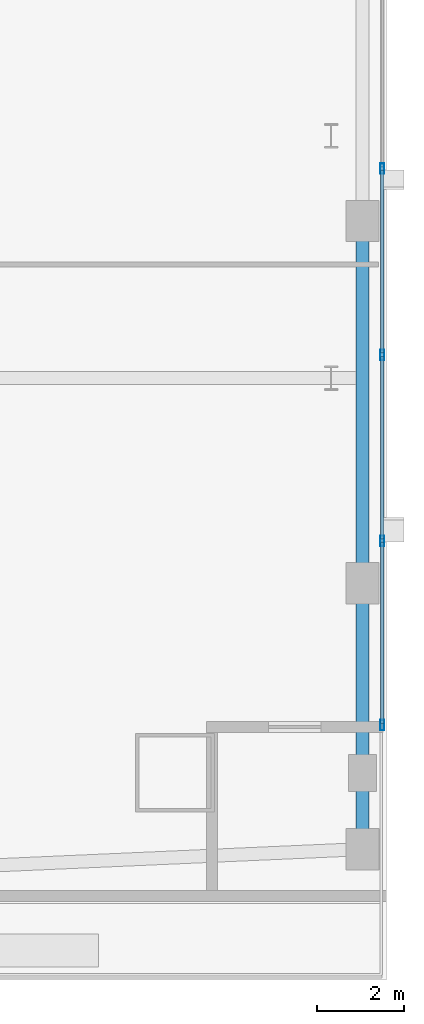
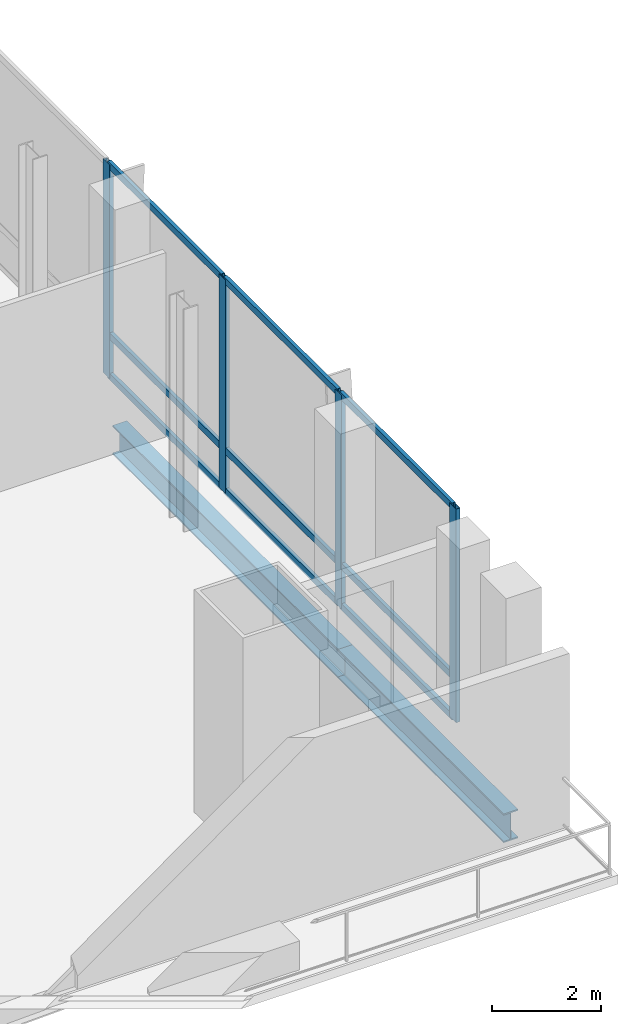
# One storey, part 14 of 25: 13 members, 2 beams, 1 element without a shape of its own.
"""IFC4 building model written with IfcOpenShell, lengths in metres."""

from ifc_helpers import new_model, si_unit, direction, frame, origin, origin_2d, place, context, subcontext, project, spatial, hollow_rectangle, i_section, extrude, material, material_profile, profile_set, type_object, element, aggregate, save


model = new_model("IFC4")

# Units and contexts
model_context = context("Model", 3, precision=1e-05, world=origin(), true_north=direction((0.0, 1.0)))
body_context = subcontext(model_context, "Body", "Model", "MODEL_VIEW")
ifc_project = project(units=[si_unit("LENGTHUNIT", "METRE"), si_unit("AREAUNIT", "SQUARE_METRE"), si_unit("VOLUMEUNIT", "CUBIC_METRE"), si_unit("PLANEANGLEUNIT", "RADIAN"), si_unit("MASSUNIT", "GRAM", prefix="KILO")], contexts=[model_context])

# Site, building, storey
site_placement = place(None, origin())
site = spatial("IfcSite", under=ifc_project, at=site_placement, CompositionType="ELEMENT")
building_placement = place(site_placement, origin())
building = spatial("IfcBuilding", under=site, at=building_placement, Name="Khoronbel Lancet Exchange", CompositionType="ELEMENT")
storey_placement = place(building_placement, frame((0.0, 0.0, 10.39990234375)))
storey = spatial("IfcBuildingStorey", under=building, at=storey_placement, Name="L02", CompositionType="ELEMENT", Elevation=10.39990234375)

# Beams
ifc_material_1 = material(Name="Steel S355", Category="steel")
ifc_material_profile_1 = material_profile(ifc_material_1, i_section(OverallWidth=0.300048828125, OverallDepth=0.64990234375, WebThickness=0.01611328125, FlangeThickness=0.031005859375, at=origin_2d()), Name="HEB 650")
ifc_profile_set_1 = profile_set([ifc_material_profile_1], Name="Steel S355")
beam_type = type_object("IfcBeamType", Name="BM-BSP1", PredefinedType="SPANDREL", material=ifc_profile_set_1)
beam_1_placement = place(storey_placement, frame((72.35009765625, 8.39990234375, -0.52490234375), z_axis=(0.0, 1.0, 0.0), x_axis=(-1.0, 0.0, 0.0)))
element("IfcBeam", 1, at=beam_1_placement, inside=storey, type_object=beam_type, Name="Level L02 perimeter spandrel beam SP08", PredefinedType="SPANDREL", context=body_context, shape_type="SweptSolid", body=[
    extrude(i_section(OverallWidth=0.300048828125, OverallDepth=0.64990234375, WebThickness=0.01611328125, FlangeThickness=0.031005859375, at=origin_2d()), origin(), (0.0, 0.0, 1.0), 6.10009765625),
])
beam_2_placement = place(storey_placement, frame((72.35009765625, 14.5, -0.52490234375), z_axis=(0.0, 1.0, 0.0), x_axis=(-1.0, 0.0, 0.0)))
element("IfcBeam", 2, at=beam_2_placement, inside=storey, type_object=beam_type, Name="Level L02 perimeter spandrel beam SP09", PredefinedType="SPANDREL", context=body_context, shape_type="SweptSolid", body=[
    extrude(i_section(OverallWidth=0.300048828125, OverallDepth=0.64990234375, WebThickness=0.01611328125, FlangeThickness=0.031005859375, at=origin_2d()), origin(), (0.0, 0.0, 1.0), 8.300048828125),
])

# Curtain wall, members
ifc_material_2 = material(Name="Low-E Solar Control Insulating Glass", Category="glass")
curtain_wall_type = type_object("IfcCurtainWallType", Name="CW-5", PredefinedType="NOTDEFINED", material=ifc_material_2)
curtain_wall_placement = place(storey_placement, origin())
curtain_wall = element("IfcCurtainWall", 3, at=curtain_wall_placement, inside=storey, type_object=curtain_wall_type, Name="Unitised curtain wall CW-L02-EAST", PredefinedType="NOTDEFINED")
ifc_material_3 = material(Name="Bronze-Anodised Aluminium 6063-T6", Category="aluminium")
ifc_material_profile_2 = material_profile(ifc_material_3, hollow_rectangle(XDim=0.0849609375, YDim=0.239990234375, WallThickness=0.006103515625, at=origin_2d()), Name="ALU MULLION 85x240")
ifc_profile_set_2 = profile_set([ifc_material_profile_2], Name="Bronze-Anodised Aluminium 6063-T6")
member_type_1 = type_object("IfcMemberType", Name="MEM-CWM1", PredefinedType="MULLION", material=ifc_profile_set_2)
member_1_placement = place(storey_placement, frame((72.800048828125, 11.242431640625, 0.0), z_axis=(0.0, 0.0, 1.0), x_axis=(-1.0, 0.0, 0.0)))
member_1 = element("IfcMember", 4, at=member_1_placement, type_object=member_type_1, Name="CW5 mullion 1", PredefinedType="MULLION", context=body_context, shape_type="SweptSolid", body=[
    extrude(hollow_rectangle(XDim=0.0849609375, YDim=0.239990234375, WallThickness=0.006103515625, at=origin_2d()), origin(), (0.0, 0.0, 1.0), 4.800048828125),
])
member_2_placement = place(storey_placement, frame((72.800048828125, 15.466552734375, 0.0), z_axis=(0.0, 0.0, 1.0), x_axis=(-1.0, 0.0, 0.0)))
member_2 = element("IfcMember", 5, at=member_2_placement, type_object=member_type_1, Name="CW5 mullion 2", PredefinedType="MULLION", context=body_context, shape_type="SweptSolid", body=[
    extrude(hollow_rectangle(XDim=0.0849609375, YDim=0.239990234375, WallThickness=0.006103515625, at=origin_2d()), origin(), (0.0, 0.0, 1.0), 4.800048828125),
])
member_3_placement = place(storey_placement, frame((72.800048828125, 19.7333984375, 0.0), z_axis=(0.0, 0.0, 1.0), x_axis=(-1.0, 0.0, 0.0)))
member_3 = element("IfcMember", 6, at=member_3_placement, type_object=member_type_1, Name="CW5 mullion 3", PredefinedType="MULLION", context=body_context, shape_type="SweptSolid", body=[
    extrude(hollow_rectangle(XDim=0.0849609375, YDim=0.239990234375, WallThickness=0.006103515625, at=origin_2d()), origin(), (0.0, 0.0, 1.0), 4.800048828125),
])
member_4_placement = place(storey_placement, frame((72.800048828125, 24.0, 0.0), z_axis=(0.0, 0.0, 1.0), x_axis=(-1.0, 0.0, 0.0)))
member_4 = element("IfcMember", 7, at=member_4_placement, type_object=member_type_1, Name="CW5 mullion 4", PredefinedType="MULLION", context=body_context, shape_type="SweptSolid", body=[
    extrude(hollow_rectangle(XDim=0.0849609375, YDim=0.239990234375, WallThickness=0.006103515625, at=origin_2d()), origin(), (0.0, 0.0, 1.0), 4.800048828125),
])
ifc_material_profile_3 = material_profile(ifc_material_3, hollow_rectangle(XDim=0.074951171875, YDim=0.14990234375, WallThickness=0.00439453125, at=origin_2d()), Name="ALU TRANSOM 75x150")
ifc_profile_set_3 = profile_set([ifc_material_profile_3], Name="Bronze-Anodised Aluminium 6063-T6")
member_type_2 = type_object("IfcMemberType", Name="MEM-CWT2", PredefinedType="USERDEFINED", material=ifc_profile_set_3)
member_5_placement = place(storey_placement, frame((72.800048828125, 11.284912109375, 0.03759765625), z_axis=(0.0, 1.0, 0.0), x_axis=(-1.0, 0.0, 0.0)))
member_5 = element("IfcMember", 8, at=member_5_placement, type_object=member_type_2, Name="CW5 transom 1.1", ObjectType="TRANSOM", PredefinedType="USERDEFINED", context=body_context, shape_type="SweptSolid", body=[
    extrude(hollow_rectangle(XDim=0.074951171875, YDim=0.14990234375, WallThickness=0.00439453125, at=origin_2d()), origin(), (0.0, 0.0, 1.0), 4.13916015625),
])
member_6_placement = place(storey_placement, frame((72.800048828125, 11.284912109375, 0.9501953125), z_axis=(0.0, 1.0, 0.0), x_axis=(-1.0, 0.0, 0.0)))
member_6 = element("IfcMember", 9, at=member_6_placement, type_object=member_type_2, Name="CW5 transom 1.2", ObjectType="TRANSOM", PredefinedType="USERDEFINED", context=body_context, shape_type="SweptSolid", body=[
    extrude(hollow_rectangle(XDim=0.074951171875, YDim=0.14990234375, WallThickness=0.00439453125, at=origin_2d()), origin(), (0.0, 0.0, 1.0), 4.13916015625),
])
member_7_placement = place(storey_placement, frame((72.800048828125, 11.284912109375, 4.7626953125), z_axis=(0.0, 1.0, 0.0), x_axis=(-1.0, 0.0, 0.0)))
member_7 = element("IfcMember", 10, at=member_7_placement, type_object=member_type_2, Name="CW5 transom 1.3", ObjectType="TRANSOM", PredefinedType="USERDEFINED", context=body_context, shape_type="SweptSolid", body=[
    extrude(hollow_rectangle(XDim=0.074951171875, YDim=0.14990234375, WallThickness=0.00439453125, at=origin_2d()), origin(), (0.0, 0.0, 1.0), 4.13916015625),
])
member_8_placement = place(storey_placement, frame((72.800048828125, 15.50927734375, 0.03759765625), z_axis=(0.0, 1.0, 0.0), x_axis=(-1.0, 0.0, 0.0)))
member_8 = element("IfcMember", 11, at=member_8_placement, type_object=member_type_2, Name="CW5 transom 2.1", ObjectType="TRANSOM", PredefinedType="USERDEFINED", context=body_context, shape_type="SweptSolid", body=[
    extrude(hollow_rectangle(XDim=0.074951171875, YDim=0.14990234375, WallThickness=0.00439453125, at=origin_2d()), origin(), (0.0, 0.0, 1.0), 4.181640625),
])
member_9_placement = place(storey_placement, frame((72.800048828125, 15.50927734375, 0.9501953125), z_axis=(0.0, 1.0, 0.0), x_axis=(-1.0, 0.0, 0.0)))
member_9 = element("IfcMember", 12, at=member_9_placement, type_object=member_type_2, Name="CW5 transom 2.2", ObjectType="TRANSOM", PredefinedType="USERDEFINED", context=body_context, shape_type="SweptSolid", body=[
    extrude(hollow_rectangle(XDim=0.074951171875, YDim=0.14990234375, WallThickness=0.00439453125, at=origin_2d()), origin(), (0.0, 0.0, 1.0), 4.181640625),
])
member_10_placement = place(storey_placement, frame((72.800048828125, 15.50927734375, 4.7626953125), z_axis=(0.0, 1.0, 0.0), x_axis=(-1.0, 0.0, 0.0)))
member_10 = element("IfcMember", 13, at=member_10_placement, type_object=member_type_2, Name="CW5 transom 2.3", ObjectType="TRANSOM", PredefinedType="USERDEFINED", context=body_context, shape_type="SweptSolid", body=[
    extrude(hollow_rectangle(XDim=0.074951171875, YDim=0.14990234375, WallThickness=0.00439453125, at=origin_2d()), origin(), (0.0, 0.0, 1.0), 4.181640625),
])
member_11_placement = place(storey_placement, frame((72.800048828125, 19.77587890625, 0.03759765625), z_axis=(0.0, 1.0, 0.0), x_axis=(-1.0, 0.0, 0.0)))
member_11 = element("IfcMember", 14, at=member_11_placement, type_object=member_type_2, Name="CW5 transom 3.1", ObjectType="TRANSOM", PredefinedType="USERDEFINED", context=body_context, shape_type="SweptSolid", body=[
    extrude(hollow_rectangle(XDim=0.074951171875, YDim=0.14990234375, WallThickness=0.00439453125, at=origin_2d()), origin(), (0.0, 0.0, 1.0), 4.181640625),
])
member_12_placement = place(storey_placement, frame((72.800048828125, 19.77587890625, 0.9501953125), z_axis=(0.0, 1.0, 0.0), x_axis=(-1.0, 0.0, 0.0)))
member_12 = element("IfcMember", 15, at=member_12_placement, type_object=member_type_2, Name="CW5 transom 3.2", ObjectType="TRANSOM", PredefinedType="USERDEFINED", context=body_context, shape_type="SweptSolid", body=[
    extrude(hollow_rectangle(XDim=0.074951171875, YDim=0.14990234375, WallThickness=0.00439453125, at=origin_2d()), origin(), (0.0, 0.0, 1.0), 4.181640625),
])
member_13_placement = place(storey_placement, frame((72.800048828125, 19.77587890625, 4.7626953125), z_axis=(0.0, 1.0, 0.0), x_axis=(-1.0, 0.0, 0.0)))
member_13 = element("IfcMember", 16, at=member_13_placement, type_object=member_type_2, Name="CW5 transom 3.3", ObjectType="TRANSOM", PredefinedType="USERDEFINED", context=body_context, shape_type="SweptSolid", body=[
    extrude(hollow_rectangle(XDim=0.074951171875, YDim=0.14990234375, WallThickness=0.00439453125, at=origin_2d()), origin(), (0.0, 0.0, 1.0), 4.181640625),
])
aggregate(curtain_wall, [member_1, member_2, member_3, member_4, member_5, member_6, member_7, member_8, member_9, member_10, member_11, member_12, member_13])

save(model, "model.ifc")
